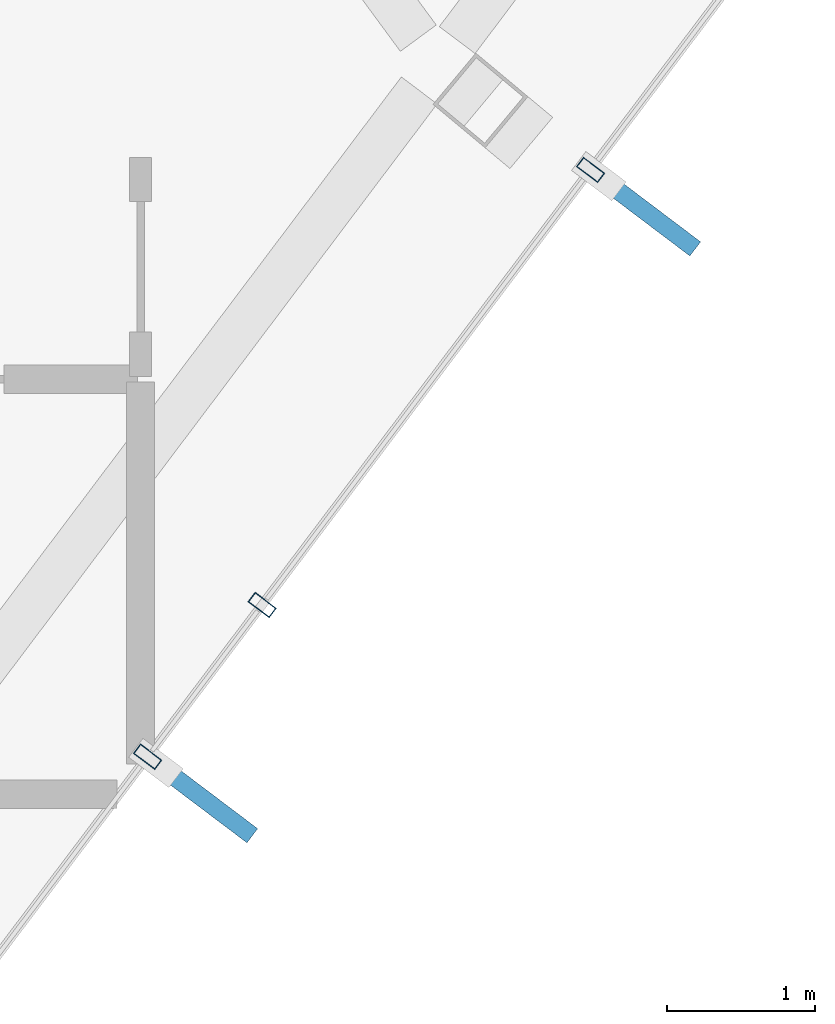
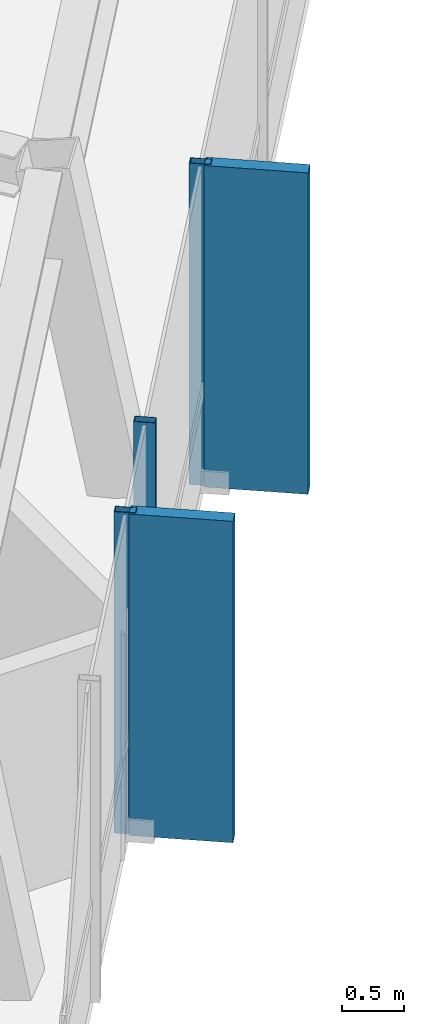
# One storey, part 13 of 21: 5 members, 1 element without a shape of its own.
"""IFC4 building model written with IfcOpenShell, lengths in metres."""

from ifc_helpers import new_model, si_unit, direction, frame, origin, origin_2d, place, context, subcontext, project, spatial, rectangle, hollow_rectangle, extrude, material, layer, layer_set, material_profile, profile_set, type_object, element, aggregate, save


model = new_model("IFC4")

# Units and contexts
model_context = context("Model", 3, precision=1e-05, world=origin(), true_north=direction((0.0, 1.0)))
body_context = subcontext(model_context, "Body", "Model", "MODEL_VIEW")
ifc_project = project(units=[si_unit("LENGTHUNIT", "METRE"), si_unit("AREAUNIT", "SQUARE_METRE"), si_unit("VOLUMEUNIT", "CUBIC_METRE"), si_unit("PLANEANGLEUNIT", "RADIAN"), si_unit("MASSUNIT", "GRAM", prefix="KILO")], contexts=[model_context])

# Site, building, storey
site_placement = place(None, origin())
site = spatial("IfcSite", under=ifc_project, at=site_placement, CompositionType="ELEMENT")
building_placement = place(site_placement, origin())
building = spatial("IfcBuilding", under=site, at=building_placement, Name="Zarrinselat Tower", CompositionType="ELEMENT")
storey_placement = place(building_placement, frame((0.0, 0.0, 285.60009765625)))
storey = spatial("IfcBuildingStorey", under=building, at=storey_placement, Name="L73", CompositionType="ELEMENT", Elevation=285.60009765625)

# Curtain wall, members
ifc_material_1 = material(Name="Extruded Aluminium Alloy EN AW-6063 T6", Category="aluminium")
ifc_layer = layer(ifc_material_1, 0.199951171875)
ifc_layer_set = layer_set([ifc_layer], Name="Extruded Aluminium Alloy EN AW-6063 T6")
curtain_wall_type = type_object("IfcCurtainWallType", Name="CWS-BLADE", PredefinedType="NOTDEFINED", material=ifc_layer_set)
curtain_wall_placement = place(storey_placement, origin())
curtain_wall = element("IfcCurtainWall", 1, at=curtain_wall_placement, inside=storey, type_object=curtain_wall_type, Name="L73 Unitised Curtain Wall CW-L73-E05", PredefinedType="NOTDEFINED")
ifc_material_2 = material(Name="Extruded Aluminium Alloy EN AW-6063 T6", Category="aluminium")
ifc_material_profile_1 = material_profile(ifc_material_2, hollow_rectangle(XDim=0.080078125, YDim=0.179931640625, WallThickness=0.0048828125, at=origin_2d()), Name="RHS 180x80x5")
ifc_profile_set_1 = profile_set([ifc_material_profile_1], Name="Extruded Aluminium Alloy EN AW-6063 T6")
member_type_1 = type_object("IfcMemberType", Name="MEM-CW-MUL", PredefinedType="MULLION", material=ifc_profile_set_1)
member_1_placement = place(storey_placement, frame((48.39794921875, 27.602783203125, 0.0), z_axis=(0.0, 0.0, 1.0), x_axis=(0.602445101176, 0.798160322284, 0.0)))
member_1 = element("IfcMember", 2, at=member_1_placement, type_object=member_type_1, Name="CW-L73-E05 Mullion 3", PredefinedType="MULLION", context=body_context, shape_type="SweptSolid", body=[
    extrude(hollow_rectangle(XDim=0.080078125, YDim=0.179931640625, WallThickness=0.0048828125, at=origin_2d()), origin(), (0.0, 0.0, 1.0), 3.179931640625),
])
member_2_placement = place(storey_placement, frame((49.170654296875, 28.626708984375, 0.0), z_axis=(0.0, 0.0, 1.0), x_axis=(0.602445101176, 0.798160322284, 0.0)))
member_2 = element("IfcMember", 3, at=member_2_placement, type_object=member_type_1, Name="CW-L73-E05 Mullion 4", PredefinedType="MULLION", context=body_context, shape_type="SweptSolid", body=[
    extrude(hollow_rectangle(XDim=0.080078125, YDim=0.179931640625, WallThickness=0.0048828125, at=origin_2d()), origin(), (0.0, 0.0, 1.0), 3.179931640625),
])
member_3_placement = place(storey_placement, frame((51.386474609375, 31.5625, 0.0), z_axis=(0.0, 0.0, 1.0), x_axis=(0.602445101176, 0.798160322284, 0.0)))
member_3 = element("IfcMember", 4, at=member_3_placement, type_object=member_type_1, Name="CW-L73-E05 Mullion 5", PredefinedType="MULLION", context=body_context, shape_type="SweptSolid", body=[
    extrude(hollow_rectangle(XDim=0.080078125, YDim=0.179931640625, WallThickness=0.0048828125, at=origin_2d()), origin(), (0.0, 0.0, 1.0), 3.179931640625),
])
ifc_material_3 = material(Name="Honed Cream Travertine Stone", Category="masonry")
ifc_material_profile_2 = material_profile(ifc_material_3, rectangle(XDim=0.1201171875, YDim=0.85009765625, at=origin_2d()), Name="FIN 850x120")
ifc_profile_set_2 = profile_set([ifc_material_profile_2], Name="Honed Cream Travertine Stone")
member_type_2 = type_object("IfcMemberType", Name="MEM-STONE-FIN", PredefinedType="USERDEFINED", material=ifc_profile_set_2)
member_4_placement = place(storey_placement, frame((48.76513671875, 27.32568359375, 0.0), z_axis=(0.0, 0.0, 1.0), x_axis=(-0.602445101176, -0.798160322284, 0.0)))
member_4 = element("IfcMember", 5, at=member_4_placement, type_object=member_type_2, Name="L73 Stone Shading Fin CW-L73-E05-03", ObjectType="FIN", PredefinedType="USERDEFINED", context=body_context, shape_type="SweptSolid", body=[
    extrude(rectangle(XDim=0.1201171875, YDim=0.85009765625, at=origin_2d()), origin(), (0.0, 0.0, 1.0), 3.179931640625),
])
member_5_placement = place(storey_placement, frame((51.753662109375, 31.285400390625, 0.0), z_axis=(0.0, 0.0, 1.0), x_axis=(-0.602445101176, -0.798160322284, 0.0)))
member_5 = element("IfcMember", 6, at=member_5_placement, type_object=member_type_2, Name="L73 Stone Shading Fin CW-L73-E05-05", ObjectType="FIN", PredefinedType="USERDEFINED", context=body_context, shape_type="SweptSolid", body=[
    extrude(rectangle(XDim=0.1201171875, YDim=0.85009765625, at=origin_2d()), origin(), (0.0, 0.0, 1.0), 3.179931640625),
])
aggregate(curtain_wall, [member_1, member_4, member_2, member_3, member_5])

save(model, "model.ifc")
